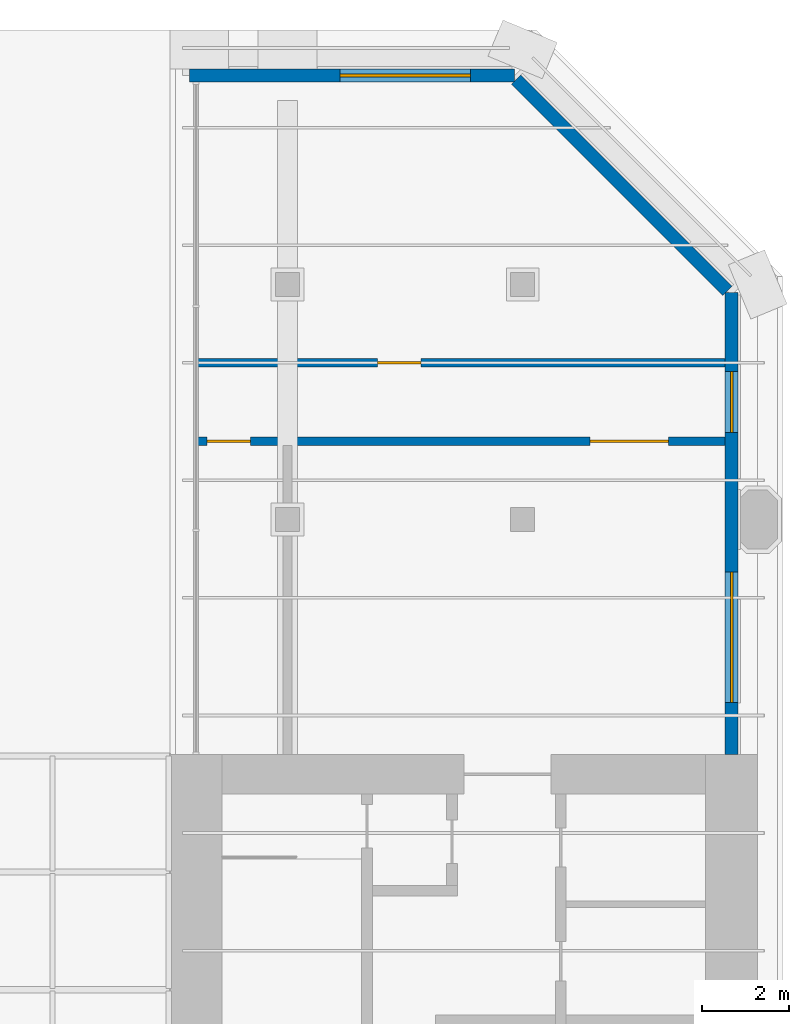
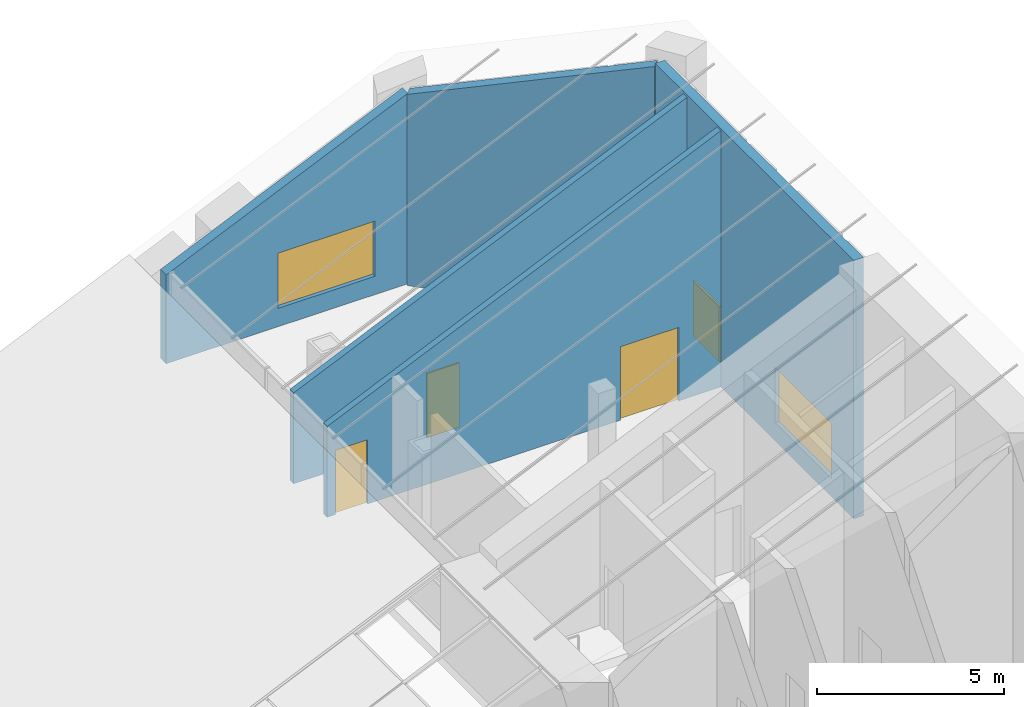
# One storey, part 9 of 10: 5 walls, 3 doors, 3 windows, 6 openings.
"""IFC4 building model written with IfcOpenShell, lengths in metres."""

import ifcopenshell
import ifcopenshell.guid

model = None  # the IFC model being written
_history = None  # IfcOwnerHistory: only IFC2X3 demands one
_inside = {}  # id of a spatial element -> (the spatial element, [elements in it])
_under = {}  # id of a project, library or spatial element -> (it, [spatial elements below it])
_declared = {}  # id of a project -> (the project, [libraries it declares])
_typed = {}  # id of a type object -> (the type object, [elements of that type])
_made_of = {}  # id of a material, layer set ... -> (it, [elements and type objects made of it])


def new_model(schema):
    """Start an empty IFC model of exactly this schema.

    Asked for "IFC4X3", IfcOpenShell would pick the latest addendum, in which some entities
    have other attributes; the version numbers below select the first issue.
    IFC2X3 requires an IfcOwnerHistory on every rooted entity: one is made here for all.
    """
    global model, _history
    if schema == "IFC4X3":
        model = ifcopenshell.file(schema_version=(4, 3, 0, 0))
    else:
        model = ifcopenshell.file(schema=schema)
    _inside.clear()
    _under.clear()
    _declared.clear()
    _typed.clear()
    _made_of.clear()
    _history = None
    if model.schema == "IFC2X3":
        org = make("IfcOrganization", Name="unknown")
        user = make(
            "IfcPersonAndOrganization",
            ThePerson=make("IfcPerson", FamilyName="unknown"),
            TheOrganization=org,
        )
        app = make(
            "IfcApplication",
            ApplicationDeveloper=org,
            Version="unknown",
            ApplicationFullName="unknown",
            ApplicationIdentifier="unknown",
        )
        _history = make(
            "IfcOwnerHistory",
            OwningUser=user,
            OwningApplication=app,
            ChangeAction="ADDED",
            CreationDate=0,
        )
    return model


def make(cls, **values):
    """One entity of the class cls with the attributes given. An attribute that is None is left unset."""
    return model.create_entity(
        cls, **{name: value for name, value in values.items() if value is not None}
    )


def rooted(cls, **values):
    """An entity with a GlobalId (a new one), such as an element, a storey or a relation."""
    return make(cls, GlobalId=ifcopenshell.guid.new(), OwnerHistory=_history, **values)


def si_unit(unit_type, name, prefix=None):
    """IfcSIUnit, for example si_unit("LENGTHUNIT", "METRE", prefix="MILLI")."""
    return make("IfcSIUnit", UnitType=unit_type, Prefix=prefix, Name=name)


def assignment(units):
    """IfcUnitAssignment: the units of a project."""
    return None if units is None else make("IfcUnitAssignment", Units=units)


def point(xyz):
    """IfcCartesianPoint."""
    return None if xyz is None else make("IfcCartesianPoint", Coordinates=xyz)


def direction(xyz):
    """IfcDirection."""
    return None if xyz is None else make("IfcDirection", DirectionRatios=xyz)


def frame(location, z_axis=None, x_axis=None):
    """IfcAxis2Placement3D, a coordinate frame: its origin and axes. An axis left out is left unset."""
    return make(
        "IfcAxis2Placement3D",
        Location=point(location),
        Axis=direction(z_axis),
        RefDirection=direction(x_axis),
    )


def frame_2d(location, x_axis=None):
    """IfcAxis2Placement2D, a coordinate frame in the plane: its origin and x axis."""
    return make(
        "IfcAxis2Placement2D", Location=point(location), RefDirection=direction(x_axis)
    )


def origin():
    """The frame at (0, 0, 0) with its axes left unset."""
    return frame((0.0, 0.0, 0.0))


def place(relative_to, where):
    """IfcLocalPlacement: puts the frame where relative to a parent placement (None: the world)."""
    return make(
        "IfcLocalPlacement", PlacementRelTo=relative_to, RelativePlacement=where
    )


def context(
    kind, dimensions, precision=None, world=None, true_north=None, identifier=None
):
    """IfcGeometricRepresentationContext, for example the 3D "Model" context."""
    return make(
        "IfcGeometricRepresentationContext",
        ContextIdentifier=identifier,
        ContextType=kind,
        CoordinateSpaceDimension=dimensions,
        Precision=precision,
        WorldCoordinateSystem=world,
        TrueNorth=true_north,
    )


def subcontext(parent, identifier, kind, view, scale=None):
    """IfcGeometricRepresentationSubContext, for example "Body" below "Model"."""
    return make(
        "IfcGeometricRepresentationSubContext",
        ContextIdentifier=identifier,
        ContextType=kind,
        ParentContext=parent,
        TargetScale=scale,
        TargetView=view,
    )


def project(units=None, contexts=None):
    """IfcProject with its units and contexts."""
    return rooted(
        "IfcProject",
        Name="project",
        RepresentationContexts=contexts,
        UnitsInContext=assignment(units),
    )


def spatial(cls, under=None, at=None, **own):
    """A site, building, storey or space (cls), placed at a placement, below another one or the project."""
    s = rooted(cls, ObjectPlacement=at, **own)
    if under is not None:
        _under.setdefault(under.id(), (under, []))[1].append(s)
    return s


def polyline(points):
    """IfcPolyline through the points."""
    return make("IfcPolyline", Points=[point(p) for p in points])


def profile(cls, at=None, kind="AREA", **sizes):
    """A parametric profile (cls). Its sizes go by their IFC names, for example OverallWidth=200.0."""
    return make(cls, ProfileType=kind, Position=at, **sizes)


def rectangle(**sizes):
    """IfcRectangleProfileDef."""
    return profile("IfcRectangleProfileDef", **sizes)


def outline(outer, holes=None, kind="AREA"):
    """IfcArbitraryClosedProfileDef: a profile drawn as a closed curve; with holes, ...WithVoids."""
    if holes is None:
        return make("IfcArbitraryClosedProfileDef", ProfileType=kind, OuterCurve=outer)
    return make(
        "IfcArbitraryProfileDefWithVoids",
        ProfileType=kind,
        OuterCurve=outer,
        InnerCurves=holes,
    )


def extrude(swept, where, along, depth):
    """IfcExtrudedAreaSolid: the profile swept, set in the frame where, extruded along a direction by depth."""
    return make(
        "IfcExtrudedAreaSolid",
        SweptArea=swept,
        Position=where,
        ExtrudedDirection=direction(along),
        Depth=depth,
    )


def shape(context_of_items, identifier, shape_type, items):
    """IfcShapeRepresentation: the items that make up one representation, for example the "Body"."""
    return make(
        "IfcShapeRepresentation",
        ContextOfItems=context_of_items,
        RepresentationIdentifier=identifier,
        RepresentationType=shape_type,
        Items=items,
    )


def material(Name=None, Category=None):
    """IfcMaterial."""
    return make("IfcMaterial", Name=Name, Category=Category)


def layer(
    of_material, thickness, ventilated=None, Name=None, Category=None, Priority=None
):
    """IfcMaterialLayer: one layer of a wall or slab, of a material (None: an air gap)."""
    return make(
        "IfcMaterialLayer",
        Material=of_material,
        LayerThickness=thickness,
        IsVentilated=ventilated,
        Name=Name,
        Category=Category,
        Priority=Priority,
    )


def layer_set(layers, Name=None):
    """IfcMaterialLayerSet."""
    return make("IfcMaterialLayerSet", MaterialLayers=layers, LayerSetName=Name)


def made_of(thing, what):
    """Note that an element or type object is made of a material, layer set ...; save() writes the relation."""
    if what is not None:
        _made_of.setdefault(what.id(), (what, []))[1].append(thing)
    return thing


def type_object(cls, material=None, **own):
    """A type object (cls), such as IfcWallType, which elements share."""
    return made_of(rooted(cls, **own), material)


def element(
    cls,
    number,
    at=None,
    inside=None,
    cuts=None,
    type_object=None,
    material=None,
    context=None,
    identifier="Body",
    shape_type=None,
    held_by="IfcProductDefinitionShape",
    body=None,
    shapes=None,
    **own,
):
    """One element of the class cls, such as IfcWall. Its Tag is "e" and its number.

    at: its placement. inside: the storey or other place that contains it. cuts: it is an
    opening in that element (IfcRelVoidsElement). A single representation is given by context,
    identifier, shape_type and body (its items); several are given by shapes. held_by: the class
    of the entity that holds the representations. save() writes the other relations.
    """
    e = rooted(cls, Tag="e%d" % number, ObjectPlacement=at, **own)
    if body is not None:
        shapes = [shape(context, identifier, shape_type, body)]
    if shapes is not None:
        e.Representation = make(held_by, Representations=shapes)
    if inside is not None:
        _inside.setdefault(inside.id(), (inside, []))[1].append(e)
    if cuts is not None:
        rooted(
            "IfcRelVoidsElement", RelatingBuildingElement=cuts, RelatedOpeningElement=e
        )
    if type_object is not None:
        _typed.setdefault(type_object.id(), (type_object, []))[1].append(e)
    return made_of(e, material)


def fill(opening, filler):
    """IfcRelFillsElement: the door or window that sits in an opening."""
    return rooted(
        "IfcRelFillsElement",
        RelatingOpeningElement=opening,
        RelatedBuildingElement=filler,
    )


def aggregate(whole, parts):
    """IfcRelAggregates: a whole, such as a stair, and the parts it consists of."""
    return rooted("IfcRelAggregates", RelatingObject=whole, RelatedObjects=parts)


def save(model, path):
    """Write the relations noted so far, then the file.

    IfcRelAggregates (storeys below a building ...), IfcRelContainedInSpatialStructure (elements
    in a storey), IfcRelDefinesByType, IfcRelAssociatesMaterial and IfcRelDeclares: one each for
    every whole, place, type object, material and project.
    """
    for whole, parts in _under.values():
        aggregate(whole, parts)
    for where, things in _inside.values():
        rooted(
            "IfcRelContainedInSpatialStructure",
            RelatedElements=things,
            RelatingStructure=where,
        )
    for kind, things in _typed.values():
        rooted("IfcRelDefinesByType", RelatedObjects=things, RelatingType=kind)
    for what, things in _made_of.values():
        rooted("IfcRelAssociatesMaterial", RelatedObjects=things, RelatingMaterial=what)
    for by, libraries in _declared.values():
        rooted("IfcRelDeclares", RelatingContext=by, RelatedDefinitions=libraries)
    model.write(path)


model = new_model("IFC4")

# Units and contexts
model_context = context("Model", 3, precision=1e-05, world=origin(), true_north=direction((0.0, 1.0)))
body_context = subcontext(model_context, "Body", "Model", "MODEL_VIEW")
ifc_project = project(units=[si_unit("LENGTHUNIT", "METRE"), si_unit("AREAUNIT", "SQUARE_METRE"), si_unit("VOLUMEUNIT", "CUBIC_METRE"), si_unit("PLANEANGLEUNIT", "RADIAN"), si_unit("MASSUNIT", "GRAM", prefix="KILO")], contexts=[model_context])

# Site, building, storey
site_placement = place(None, origin())
site = spatial("IfcSite", under=ifc_project, at=site_placement, CompositionType="ELEMENT")
building_placement = place(site_placement, origin())
building = spatial("IfcBuilding", under=site, at=building_placement, Name="Tabaq Tower and Sports Hall", CompositionType="ELEMENT")
storey_placement = place(building_placement, frame((0.0, 0.0, 335.199951171875)))
storey = spatial("IfcBuildingStorey", under=building, at=storey_placement, Name="L83", CompositionType="ELEMENT", Elevation=335.199951171875)

# Wall, opening, door
ifc_material_1 = material(Name="Blockwork", Category="masonry")
ifc_layer_1 = layer(ifc_material_1, 0.199951171875)
ifc_layer_set_1 = layer_set([ifc_layer_1], Name="Fire compartment wall 200 Blockwork")
wall_type_1 = type_object("IfcWallType", Name="Fire compartment wall 200 Blockwork", PredefinedType="PARTITIONING", material=ifc_layer_set_1)
wall_1_placement = place(storey_placement, frame((30.300048828125, 41.39990234375, 0.0), z_axis=(0.0, 0.0, 1.0), x_axis=(1.0, 0.0, 0.0)))
wall_1 = element("IfcWall", 1, at=wall_1_placement, inside=storey, type_object=wall_type_1, Name="Compartment wall L83", PredefinedType="PARTITIONING", context=body_context, shape_type="SweptSolid", body=[
    extrude(outline(polyline([(0.0, 0.0), (12.14892578125, 0.0), (12.14892578125, 8.3662109375), (0.0, 2.966796875), (0.0, 0.0)])), frame((0.0, 0.10009765625, 0.0), z_axis=(0.0, -1.0, 0.0), x_axis=(1.0, 0.0, 0.0)), (0.0, 0.0, 1.0), 0.199951171875),
])
opening_1_placement = place(wall_1_placement, frame((4.162109375, 0.0, 0.0)))
opening_1 = element("IfcOpeningElement", 2, at=opening_1_placement, cuts=wall_1, Name="Opening L83-001", PredefinedType="OPENING", context=body_context, shape_type="SweptSolid", body=[
    extrude(rectangle(XDim=1.0, YDim=2.10009765625, at=frame_2d((0.5, 1.050048828125))), frame((0.0, 0.10009765625, 0.0), z_axis=(0.0, -1.0, 0.0), x_axis=(1.0, 0.0, 0.0)), (0.0, 0.0, 1.0), 0.199951171875),
])
ifc_material_2 = material(Name="Steel fire door", Category="steel")
door_type_1 = type_object("IfcDoorType", Name="Plant room door 1000 left hand", OperationType="SINGLE_SWING_LEFT", PredefinedType="DOOR", material=ifc_material_2)
door_1_placement = place(opening_1_placement, origin())
door_1 = element("IfcDoor", 3, at=door_1_placement, inside=storey, type_object=door_type_1, Name="Plant room door L83-001", OperationType="SINGLE_SWING_LEFT", OverallHeight=2.10009765625, OverallWidth=1.0, PredefinedType="DOOR", context=body_context, shape_type="SweptSolid", body=[
    extrude(rectangle(XDim=1.0, YDim=2.10009765625, at=frame_2d((0.5, 1.050048828125))), frame((0.0, 0.02490234375, 0.0), z_axis=(0.0, -1.0, 0.0), x_axis=(1.0, 0.0, 0.0)), (0.0, 0.0, 1.0), 0.050048828125),
])
fill(opening_1, door_1)

# Wall, openings, doors
wall_2_placement = place(storey_placement, frame((42.448974609375, 39.60009765625, 0.0), z_axis=(0.0, 0.0, 1.0), x_axis=(-1.0, 0.0, 0.0)))
wall_2 = element("IfcWall", 4, at=wall_2_placement, inside=storey, type_object=wall_type_1, Name="Compartment wall L83", PredefinedType="PARTITIONING", context=body_context, shape_type="SweptSolid", body=[
    extrude(outline(polyline([(0.0, 0.0), (12.14892578125, 0.0), (12.14892578125, 2.966796875), (0.0, 8.3662109375), (0.0, 0.0)])), frame((0.0, 0.10009765625, 0.0), z_axis=(0.0, -1.0, 0.0), x_axis=(1.0, 0.0, 0.0)), (0.0, 0.0, 1.0), 0.199951171875),
])
opening_2_placement = place(wall_2_placement, frame((10.89892578125, 0.0, 0.0)))
opening_2 = element("IfcOpeningElement", 5, at=opening_2_placement, cuts=wall_2, Name="Opening L83-002", PredefinedType="OPENING", context=body_context, shape_type="SweptSolid", body=[
    extrude(rectangle(XDim=1.0, YDim=2.10009765625, at=frame_2d((0.5, 1.050048828125))), frame((0.0, 0.10009765625, 0.0), z_axis=(0.0, -1.0, 0.0), x_axis=(1.0, 0.0, 0.0)), (0.0, 0.0, 1.0), 0.199951171875),
])
opening_3_placement = place(wall_2_placement, frame((1.299072265625, 0.0, 0.0)))
opening_3 = element("IfcOpeningElement", 6, at=opening_3_placement, cuts=wall_2, Name="Opening L83-006", PredefinedType="OPENING", context=body_context, shape_type="SweptSolid", body=[
    extrude(rectangle(XDim=1.800048828125, YDim=2.39990234375, at=frame_2d((0.89990234375, 1.199951171875))), frame((0.0, 0.10009765625, 0.0), z_axis=(0.0, -1.0, 0.0), x_axis=(1.0, 0.0, 0.0)), (0.0, 0.0, 1.0), 0.199951171875),
])
door_2_placement = place(opening_2_placement, origin())
door_2 = element("IfcDoor", 7, at=door_2_placement, inside=storey, type_object=door_type_1, Name="Plant room door L83-002", OperationType="SINGLE_SWING_LEFT", OverallHeight=2.10009765625, OverallWidth=1.0, PredefinedType="DOOR", context=body_context, shape_type="SweptSolid", body=[
    extrude(rectangle(XDim=1.0, YDim=2.10009765625, at=frame_2d((0.5, 1.050048828125))), frame((0.0, 0.02490234375, 0.0), z_axis=(0.0, -1.0, 0.0), x_axis=(1.0, 0.0, 0.0)), (0.0, 0.0, 1.0), 0.050048828125),
])
fill(opening_2, door_2)
ifc_material_3 = material(Name="Steel fire door", Category="steel")
door_type_2 = type_object("IfcDoorType", Name="Plant room door 1800", OperationType="DOUBLE_DOOR_SINGLE_SWING", PredefinedType="DOOR", material=ifc_material_3)
door_3_placement = place(opening_3_placement, origin())
door_3 = element("IfcDoor", 8, at=door_3_placement, inside=storey, type_object=door_type_2, Name="Plant room door L83-006", OperationType="DOUBLE_DOOR_SINGLE_SWING", OverallHeight=2.39990234375, OverallWidth=1.800048828125, PredefinedType="DOOR", context=body_context, shape_type="SweptSolid", body=[
    extrude(rectangle(XDim=1.800048828125, YDim=2.39990234375, at=frame_2d((0.89990234375, 1.199951171875))), frame((0.0, 0.02490234375, 0.0), z_axis=(0.0, -1.0, 0.0), x_axis=(1.0, 0.0, 0.0)), (0.0, 0.0, 1.0), 0.050048828125),
])
fill(opening_3, door_3)

# Wall, openings, windows
ifc_material_4 = material(Name="White precast concrete C60/75", Category="concrete")
ifc_layer_2 = layer(ifc_material_4, 0.300048828125)
ifc_layer_set_2 = layer_set([ifc_layer_2], Name="White precast concrete C60/75 external wall 300")
wall_type_2 = type_object("IfcWallType", Name="White precast concrete C60/75 external wall 300", PredefinedType="SOLIDWALL", material=ifc_layer_set_2)
wall_3_placement = place(storey_placement, frame((42.60009765625, 32.39990234375, 0.0), z_axis=(0.0, 0.0, 1.0), x_axis=(0.0, 1.0, 0.0)))
wall_3 = element("IfcWall", 9, at=wall_3_placement, inside=storey, type_object=wall_type_2, Name="External Wall L83 E", PredefinedType="SOLIDWALL", context=body_context, shape_type="SweptSolid", body=[
    extrude(outline(polyline([(0.0, 0.0), (10.61376953125, 0.0), (10.613525390625, 8.433349609375), (10.02392578125, 8.433349609375), (9.434326171875, 8.433349609375), (8.8447265625, 8.433349609375), (8.255126953125, 8.433349609375), (7.665283203125, 8.433349609375), (7.07568359375, 8.433349609375), (6.486083984375, 8.433349609375), (5.896484375, 8.433349609375), (5.306884765625, 8.433349609375), (4.717041015625, 8.433349609375), (4.12744140625, 8.433349609375), (3.537841796875, 8.433349609375), (2.9482421875, 8.433349609375), (2.358642578125, 8.433349609375), (1.76904296875, 8.433349609375), (1.17919921875, 8.433349609375), (0.589599609375, 8.433349609375), (0.0, 8.433349609375), (0.0, 0.0)])), frame((0.0, 0.14990234375, 0.0), z_axis=(0.0, -1.0, 0.0), x_axis=(1.0, 0.0, 0.0)), (0.0, 0.0, 1.0), 0.300048828125),
])
opening_4_placement = place(wall_3_placement, frame((1.199951171875, 0.0, 0.60009765625)))
opening_4 = element("IfcOpeningElement", 10, at=opening_4_placement, cuts=wall_3, Name="Opening LV1", PredefinedType="OPENING", context=body_context, shape_type="SweptSolid", body=[
    extrude(rectangle(XDim=3.0, YDim=1.800048828125, at=frame_2d((1.5, 0.89990234375))), frame((0.0, 0.16015625, 0.0), z_axis=(0.0, -1.0, 0.0), x_axis=(1.0, 0.0, 0.0)), (0.0, 0.0, 1.0), 0.320068359375),
])
opening_5_placement = place(wall_3_placement, frame((7.396484375, 0.0, 0.60009765625)))
opening_5 = element("IfcOpeningElement", 11, at=opening_5_placement, cuts=wall_3, Name="Opening LV3", PredefinedType="OPENING", context=body_context, shape_type="SweptSolid", body=[
    extrude(rectangle(XDim=1.39990234375, YDim=1.800048828125, at=frame_2d((0.699951171875, 0.89990234375))), frame((0.0, 0.16015625, 0.0), z_axis=(0.0, -1.0, 0.0), x_axis=(1.0, 0.0, 0.0)), (0.0, 0.0, 1.0), 0.320068359375),
])
ifc_material_5 = material(Name="Aluminium alloy 6063-T6 louvre blades", Category="aluminium")
window_type_1 = type_object("IfcWindowType", Name="Plant louvre LV1", PartitioningType="SINGLE_PANEL", PredefinedType="WINDOW", material=ifc_material_5)
window_1_placement = place(opening_4_placement, origin())
window_1 = element("IfcWindow", 12, at=window_1_placement, inside=storey, type_object=window_type_1, Name="Plant louvre L83", OverallHeight=1.800048828125, OverallWidth=3.0, PartitioningType="SINGLE_PANEL", PredefinedType="WINDOW", context=body_context, shape_type="SweptSolid", body=[
    extrude(rectangle(XDim=3.0, YDim=1.800048828125, at=frame_2d((1.5, 0.89990234375))), frame((0.0, 0.030029296875, 0.0), z_axis=(0.0, -1.0, 0.0), x_axis=(1.0, 0.0, 0.0)), (0.0, 0.0, 1.0), 0.06005859375),
])
fill(opening_4, window_1)
ifc_material_6 = material(Name="Aluminium alloy 6063-T6 louvre blades", Category="aluminium")
window_type_2 = type_object("IfcWindowType", Name="Plant louvre LV3", PartitioningType="SINGLE_PANEL", PredefinedType="WINDOW", material=ifc_material_6)
window_2_placement = place(opening_5_placement, origin())
window_2 = element("IfcWindow", 13, at=window_2_placement, inside=storey, type_object=window_type_2, Name="Plant louvre L83", OverallHeight=1.800048828125, OverallWidth=1.39990234375, PartitioningType="SINGLE_PANEL", PredefinedType="WINDOW", context=body_context, shape_type="SweptSolid", body=[
    extrude(rectangle(XDim=1.39990234375, YDim=1.800048828125, at=frame_2d((0.699951171875, 0.89990234375))), frame((0.0, 0.030029296875, 0.0), z_axis=(0.0, -1.0, 0.0), x_axis=(1.0, 0.0, 0.0)), (0.0, 0.0, 1.0), 0.06005859375),
])
fill(opening_5, window_2)

# Wall
wall_4_placement = place(storey_placement, frame((42.5009765625, 43.050537109375, 0.0), z_axis=(0.0, 0.0, 1.0), x_axis=(-0.707106781187, 0.707106781187, 0.0)))
element("IfcWall", 14, at=wall_4_placement, inside=storey, type_object=wall_type_2, Name="External Wall L83 NE", PredefinedType="SOLIDWALL", context=body_context, shape_type="SweptSolid", body=[
    extrude(outline(polyline([(0.0, 0.0), (6.85986328125, 0.0), (6.859619140625, 6.233642578125), (6.2880859375, 6.413330078125), (5.71630859375, 6.5927734375), (5.144775390625, 6.7724609375), (4.5732421875, 6.9521484375), (4.00146484375, 7.1318359375), (3.429931640625, 7.3115234375), (2.858154296875, 7.4912109375), (2.28662109375, 7.6708984375), (1.71484375, 7.850341796875), (1.143310546875, 8.030029296875), (0.571533203125, 8.209716796875), (0.0, 8.389404296875), (0.0, 0.0)])), frame((0.0, 0.14990234375, 0.0), z_axis=(0.0, -1.0, 0.0), x_axis=(1.0, 0.0, 0.0)), (0.0, 0.0, 1.0), 0.300048828125),
])

# Wall, opening, window
wall_5_placement = place(storey_placement, frame((37.613525390625, 48.0, 0.0), z_axis=(0.0, 0.0, 1.0), x_axis=(-1.0, 0.0, 0.0)))
wall_5 = element("IfcWall", 15, at=wall_5_placement, inside=storey, type_object=wall_type_2, Name="External Wall L83 N", PredefinedType="SOLIDWALL", context=body_context, shape_type="SweptSolid", body=[
    extrude(outline(polyline([(0.0, 0.0), (7.463623046875, 0.0), (7.463623046875, 2.900146484375), (6.889404296875, 3.1552734375), (6.3154296875, 3.410400390625), (5.7412109375, 3.66552734375), (5.1669921875, 3.920654296875), (4.593017578125, 4.17578125), (4.018798828125, 4.43115234375), (3.44482421875, 4.686279296875), (2.87060546875, 4.94140625), (2.29638671875, 5.196533203125), (1.722412109375, 5.45166015625), (1.148193359375, 5.706787109375), (0.57421875, 5.962158203125), (0.0, 6.21728515625), (0.0, 0.0)])), frame((0.0, 0.14990234375, 0.0), z_axis=(0.0, -1.0, 0.0), x_axis=(1.0, 0.0, 0.0)), (0.0, 0.0, 1.0), 0.300048828125),
])
opening_6_placement = place(wall_5_placement, frame((1.013671875, 0.0, 0.60009765625)))
opening_6 = element("IfcOpeningElement", 16, at=opening_6_placement, cuts=wall_5, Name="Opening LV1", PredefinedType="OPENING", context=body_context, shape_type="SweptSolid", body=[
    extrude(rectangle(XDim=3.0, YDim=1.800048828125, at=frame_2d((1.5, 0.89990234375))), frame((0.0, 0.16015625, 0.0), z_axis=(0.0, -1.0, 0.0), x_axis=(1.0, 0.0, 0.0)), (0.0, 0.0, 1.0), 0.320068359375),
])
window_3_placement = place(opening_6_placement, origin())
window_3 = element("IfcWindow", 17, at=window_3_placement, inside=storey, type_object=window_type_1, Name="Plant louvre L83", OverallHeight=1.800048828125, OverallWidth=3.0, PartitioningType="SINGLE_PANEL", PredefinedType="WINDOW", context=body_context, shape_type="SweptSolid", body=[
    extrude(rectangle(XDim=3.0, YDim=1.800048828125, at=frame_2d((1.5, 0.89990234375))), frame((0.0, 0.030029296875, 0.0), z_axis=(0.0, -1.0, 0.0), x_axis=(1.0, 0.0, 0.0)), (0.0, 0.0, 1.0), 0.06005859375),
])
fill(opening_6, window_3)

save(model, "model.ifc")
